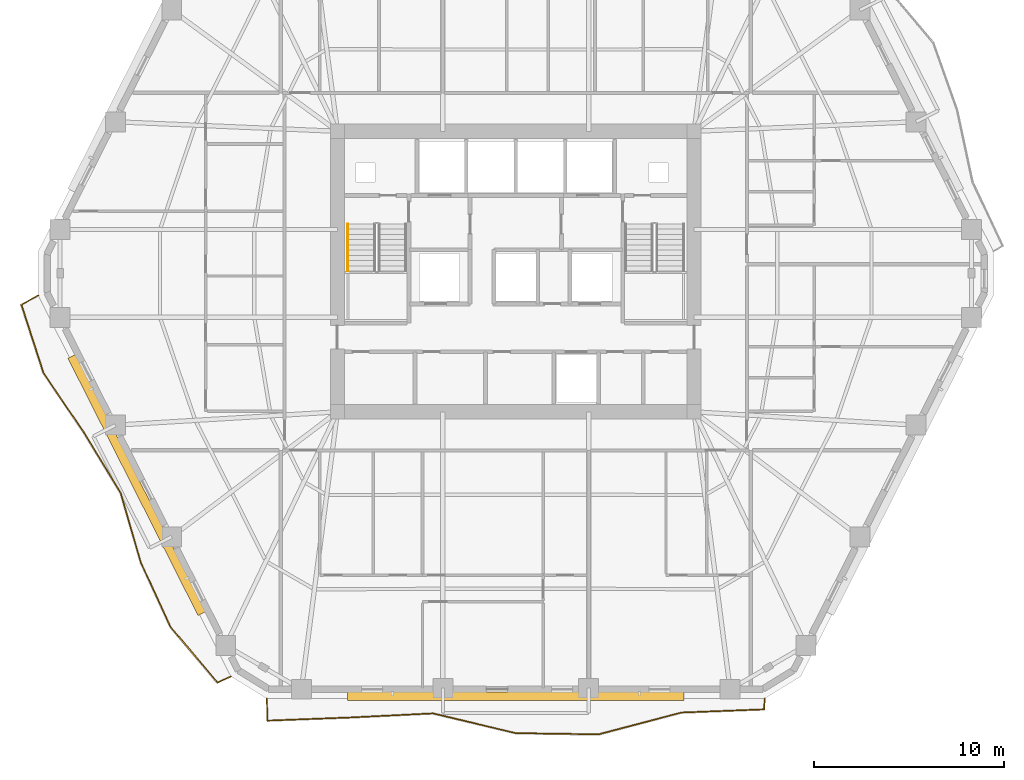
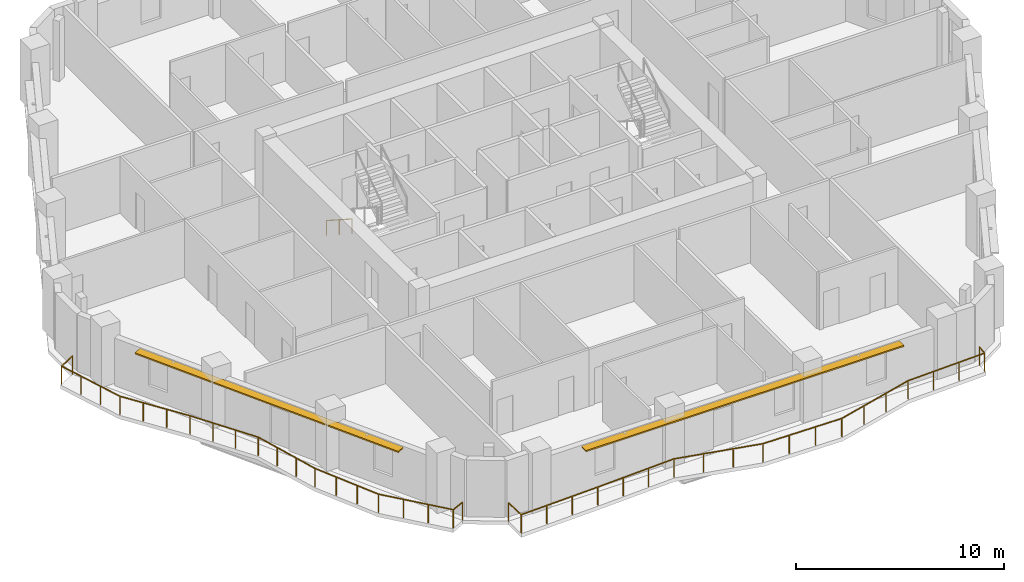
# One storey, part 10 of 12: 3 railings, 2 shading devices.
"""IFC4 building model written with IfcOpenShell, lengths in metres."""

from ifc_helpers import new_model, si_unit, direction, frame, origin, origin_2d, place, context, subcontext, project, spatial, rectangle, extrude, material, layer, layer_set, type_object, element, save


model = new_model("IFC4")

# Units and contexts
model_context = context("Model", 3, precision=1e-05, world=origin(), true_north=direction((0.0, 1.0)))
body_context = subcontext(model_context, "Body", "Model", "MODEL_VIEW")
ifc_project = project(units=[si_unit("LENGTHUNIT", "METRE"), si_unit("AREAUNIT", "SQUARE_METRE"), si_unit("VOLUMEUNIT", "CUBIC_METRE"), si_unit("PLANEANGLEUNIT", "RADIAN"), si_unit("MASSUNIT", "GRAM", prefix="KILO")], contexts=[model_context])

# Site, building, storey
site_placement = place(None, origin())
site = spatial("IfcSite", under=ifc_project, at=site_placement, CompositionType="ELEMENT")
building_placement = place(site_placement, origin())
building = spatial("IfcBuilding", under=site, at=building_placement, Name="Cinnabar Lancet Tower", CompositionType="ELEMENT")
storey_placement = place(building_placement, frame((0.0, 0.0, 109.050048828125)))
storey = spatial("IfcBuildingStorey", under=building, at=storey_placement, Name="L28", CompositionType="ELEMENT", Elevation=109.050048828125)

# Railings
ifc_material_1 = material(Name="Laminated safety glass and bronze stainless steel balustrade", Category="steel")
railing_type_1 = type_object("IfcRailingType", Name="ENV-RLG-BAL-1100", PredefinedType="BALUSTRADE", material=ifc_material_1)
railing_1_placement = place(storey_placement, frame((19.30810546875, 3.449951171875, 0.0)))
element("IfcRailing", 1, at=railing_1_placement, inside=storey, type_object=railing_type_1, Name="L28 Face 1 Wave Balcony Balustrade", PredefinedType="BALUSTRADE", context=body_context, shape_type="SweptSolid", body=[
    extrude(rectangle(XDim=0.048095703125, YDim=0.048095703125, at=origin_2d()), frame((0.0, 0.0, 1.076171875), z_axis=(0.02919536619, -0.999573724441, 0.0), x_axis=(0.999573724441, 0.02919536619, 0.0)), (0.0, 0.0, 1.0), 1.162353515625),
    extrude(rectangle(XDim=0.048095703125, YDim=0.048095703125, at=origin_2d()), frame((0.033935546875, -1.161865234375, 1.076171875), z_axis=(0.999273865502, 0.038101728639, 0.0), x_axis=(-0.038101728639, 0.999273865502, 0.0)), (0.0, 0.0, 1.0), 4.357177734375),
    extrude(rectangle(XDim=0.048095703125, YDim=0.048095703125, at=origin_2d()), frame((4.387939453125, -0.995849609375, 1.076171875), z_axis=(0.998762098054, 0.049742049527, 0.0), x_axis=(-0.049742049527, 0.998762098054, 0.0)), (0.0, 0.0, 1.0), 4.3583984375),
    extrude(rectangle(XDim=0.048095703125, YDim=0.048095703125, at=origin_2d()), frame((8.740966796875, -0.779052734375, 1.076171875), z_axis=(0.972610282046, -0.232441905125, 0.0), x_axis=(0.232441905125, 0.972610282046, 0.0)), (0.0, 0.0, 1.0), 4.473388671875),
    extrude(rectangle(XDim=0.048095703125, YDim=0.048095703125, at=origin_2d()), frame((13.091796875, -1.81884765625, 1.076171875), z_axis=(0.999895279095, -0.014471725682, 0.0), x_axis=(0.014471725682, 0.999895279095, 0.0)), (0.0, 0.0, 1.0), 4.3525390625),
    extrude(rectangle(XDim=0.048095703125, YDim=0.048095703125, at=origin_2d()), frame((17.44384765625, -1.8818359375, 1.076171875), z_axis=(0.967021099414, 0.254696276549, 0.0), x_axis=(-0.254696276549, 0.967021099414, 0.0)), (0.0, 0.0, 1.0), 4.49951171875),
    extrude(rectangle(XDim=0.048095703125, YDim=0.048095703125, at=origin_2d()), frame((21.794921875, -0.73583984375, 1.076171875), z_axis=(0.999265307057, 0.038325528206, 0.0), x_axis=(-0.038325528206, 0.999265307057, 0.0)), (0.0, 0.0, 1.0), 4.357177734375),
    extrude(rectangle(XDim=0.048095703125, YDim=0.048095703125, at=origin_2d()), frame((26.14892578125, -0.56884765625, 1.076171875), z_axis=(0.061258128711, 0.998121957311, 0.0), x_axis=(-0.998121957311, 0.061258128711, 0.0)), (0.0, 0.0, 1.0), 0.56982421875),
    extrude(rectangle(XDim=0.0419921875, YDim=0.0419921875, at=origin_2d()), origin(), (0.0, 0.0, 1.0), 1.052001953125),
    extrude(rectangle(XDim=0.0419921875, YDim=0.0419921875, at=origin_2d()), frame((0.033935546875, -1.161865234375, 0.0)), (0.0, 0.0, 1.0), 1.052001953125),
    extrude(rectangle(XDim=0.0419921875, YDim=0.0419921875, at=origin_2d()), frame((1.4853515625, -1.1064453125, 0.0)), (0.0, 0.0, 1.0), 1.052001953125),
    extrude(rectangle(XDim=0.0419921875, YDim=0.0419921875, at=origin_2d()), frame((2.9365234375, -1.05126953125, 0.0)), (0.0, 0.0, 1.0), 1.052001953125),
    extrude(rectangle(XDim=0.0419921875, YDim=0.0419921875, at=origin_2d()), frame((4.387939453125, -0.995849609375, 0.0)), (0.0, 0.0, 1.0), 1.052001953125),
    extrude(rectangle(XDim=0.0419921875, YDim=0.0419921875, at=origin_2d()), frame((5.8388671875, -0.923583984375, 0.0)), (0.0, 0.0, 1.0), 1.052001953125),
    extrude(rectangle(XDim=0.0419921875, YDim=0.0419921875, at=origin_2d()), frame((7.2900390625, -0.851318359375, 0.0)), (0.0, 0.0, 1.0), 1.052001953125),
    extrude(rectangle(XDim=0.0419921875, YDim=0.0419921875, at=origin_2d()), frame((8.740966796875, -0.779052734375, 0.0)), (0.0, 0.0, 1.0), 1.052001953125),
    extrude(rectangle(XDim=0.0419921875, YDim=0.0419921875, at=origin_2d()), frame((10.191162109375, -1.125732421875, 0.0)), (0.0, 0.0, 1.0), 1.052001953125),
    extrude(rectangle(XDim=0.0419921875, YDim=0.0419921875, at=origin_2d()), frame((11.6416015625, -1.47216796875, 0.0)), (0.0, 0.0, 1.0), 1.052001953125),
    extrude(rectangle(XDim=0.0419921875, YDim=0.0419921875, at=origin_2d()), frame((13.091796875, -1.81884765625, 0.0)), (0.0, 0.0, 1.0), 1.052001953125),
    extrude(rectangle(XDim=0.0419921875, YDim=0.0419921875, at=origin_2d()), frame((14.54248046875, -1.83984375, 0.0)), (0.0, 0.0, 1.0), 1.052001953125),
    extrude(rectangle(XDim=0.0419921875, YDim=0.0419921875, at=origin_2d()), frame((15.9931640625, -1.86083984375, 0.0)), (0.0, 0.0, 1.0), 1.052001953125),
    extrude(rectangle(XDim=0.0419921875, YDim=0.0419921875, at=origin_2d()), frame((17.44384765625, -1.8818359375, 0.0)), (0.0, 0.0, 1.0), 1.052001953125),
    extrude(rectangle(XDim=0.0419921875, YDim=0.0419921875, at=origin_2d()), frame((18.894287109375, -1.499755859375, 0.0)), (0.0, 0.0, 1.0), 1.052001953125),
    extrude(rectangle(XDim=0.0419921875, YDim=0.0419921875, at=origin_2d()), frame((20.344482421875, -1.117919921875, 0.0)), (0.0, 0.0, 1.0), 1.052001953125),
    extrude(rectangle(XDim=0.0419921875, YDim=0.0419921875, at=origin_2d()), frame((21.794921875, -0.73583984375, 0.0)), (0.0, 0.0, 1.0), 1.052001953125),
    extrude(rectangle(XDim=0.0419921875, YDim=0.0419921875, at=origin_2d()), frame((23.246337890625, -0.68017578125, 0.0)), (0.0, 0.0, 1.0), 1.052001953125),
    extrude(rectangle(XDim=0.0419921875, YDim=0.0419921875, at=origin_2d()), frame((24.697509765625, -0.62451171875, 0.0)), (0.0, 0.0, 1.0), 1.052001953125),
    extrude(rectangle(XDim=0.0419921875, YDim=0.0419921875, at=origin_2d()), frame((26.14892578125, -0.56884765625, 0.0)), (0.0, 0.0, 1.0), 1.052001953125),
    extrude(rectangle(XDim=0.0419921875, YDim=0.0419921875, at=origin_2d()), frame((26.183837890625, 0.0, 0.0)), (0.0, 0.0, 1.0), 1.052001953125),
])
railing_2_placement = place(storey_placement, frame((7.287109375, 24.639892578125, 0.0)))
element("IfcRailing", 2, at=railing_2_placement, inside=storey, type_object=railing_type_1, Name="L28 Face 6 Wave Balcony Balustrade", PredefinedType="BALUSTRADE", context=body_context, shape_type="SweptSolid", body=[
    extrude(rectangle(XDim=0.048095703125, YDim=0.048095703125, at=origin_2d()), frame((0.0, 0.0, 1.076171875), z_axis=(-0.879228403445, -0.476400477094, 0.0), x_axis=(0.476400477094, -0.879228403445, 0.0)), (0.0, 0.0, 1.0), 1.00537109375),
    extrude(rectangle(XDim=0.048095703125, YDim=0.048095703125, at=origin_2d()), frame((-0.884033203125, -0.47900390625, 1.076171875), z_axis=(0.308536320545, -0.951212562419, 0.0), x_axis=(0.951212562419, 0.308536320545, 0.0)), (0.0, 0.0, 1.0), 3.776123046875),
    extrude(rectangle(XDim=0.048095703125, YDim=0.048095703125, at=origin_2d()), frame((0.281005859375, -4.07080078125, 1.076171875), z_axis=(0.561093495244, -0.827752432551, 0.0), x_axis=(0.827752432551, 0.561093495244, 0.0)), (0.0, 0.0, 1.0), 3.761962890625),
    extrude(rectangle(XDim=0.048095703125, YDim=0.048095703125, at=origin_2d()), frame((2.391845703125, -7.184814453125, 1.076171875), z_axis=(0.520069062498, -0.854124212415, 0.0), x_axis=(0.854124212415, 0.520069062498, 0.0)), (0.0, 0.0, 1.0), 3.741943359375),
    extrude(rectangle(XDim=0.048095703125, YDim=0.048095703125, at=origin_2d()), frame((4.337890625, -10.380859375, 1.076171875), z_axis=(0.278176765363, -0.960529899176, 0.0), x_axis=(0.960529899176, 0.278176765363, 0.0)), (0.0, 0.0, 1.0), 3.7958984375),
    extrude(rectangle(XDim=0.048095703125, YDim=0.048095703125, at=origin_2d()), frame((5.393798828125, -14.02685546875, 1.076171875), z_axis=(0.418486044424, -0.908223227308, 0.0), x_axis=(0.908223227308, 0.418486044424, 0.0)), (0.0, 0.0, 1.0), 3.73486328125),
    extrude(rectangle(XDim=0.048095703125, YDim=0.048095703125, at=origin_2d()), frame((6.956787109375, -17.4189453125, 1.076171875), z_axis=(0.644016114821, -0.765011923993, 0.0), x_axis=(0.765011923993, 0.644016114821, 0.0)), (0.0, 0.0, 1.0), 3.833740234375),
    extrude(rectangle(XDim=0.048095703125, YDim=0.048095703125, at=origin_2d()), frame((9.42578125, -20.351806640625, 1.076171875), z_axis=(0.910269706864, 0.41401577357, 0.0), x_axis=(-0.41401577357, 0.910269706864, 0.0)), (0.0, 0.0, 1.0), 0.77783203125),
    extrude(rectangle(XDim=0.0419921875, YDim=0.0419921875, at=origin_2d()), origin(), (0.0, 0.0, 1.0), 1.052001953125),
    extrude(rectangle(XDim=0.0419921875, YDim=0.0419921875, at=origin_2d()), frame((-0.884033203125, -0.47900390625, 0.0)), (0.0, 0.0, 1.0), 1.052001953125),
    extrude(rectangle(XDim=0.0419921875, YDim=0.0419921875, at=origin_2d()), frame((-0.49560546875, -1.67626953125, 0.0)), (0.0, 0.0, 1.0), 1.052001953125),
    extrude(rectangle(XDim=0.0419921875, YDim=0.0419921875, at=origin_2d()), frame((-0.107421875, -2.87353515625, 0.0)), (0.0, 0.0, 1.0), 1.052001953125),
    extrude(rectangle(XDim=0.0419921875, YDim=0.0419921875, at=origin_2d()), frame((0.281005859375, -4.07080078125, 0.0)), (0.0, 0.0, 1.0), 1.052001953125),
    extrude(rectangle(XDim=0.0419921875, YDim=0.0419921875, at=origin_2d()), frame((0.984619140625, -5.10888671875, 0.0)), (0.0, 0.0, 1.0), 1.052001953125),
    extrude(rectangle(XDim=0.0419921875, YDim=0.0419921875, at=origin_2d()), frame((1.688232421875, -6.146728515625, 0.0)), (0.0, 0.0, 1.0), 1.052001953125),
    extrude(rectangle(XDim=0.0419921875, YDim=0.0419921875, at=origin_2d()), frame((2.391845703125, -7.184814453125, 0.0)), (0.0, 0.0, 1.0), 1.052001953125),
    extrude(rectangle(XDim=0.0419921875, YDim=0.0419921875, at=origin_2d()), frame((3.04052734375, -8.250244140625, 0.0)), (0.0, 0.0, 1.0), 1.052001953125),
    extrude(rectangle(XDim=0.0419921875, YDim=0.0419921875, at=origin_2d()), frame((3.689208984375, -9.3154296875, 0.0)), (0.0, 0.0, 1.0), 1.052001953125),
    extrude(rectangle(XDim=0.0419921875, YDim=0.0419921875, at=origin_2d()), frame((4.337890625, -10.380859375, 0.0)), (0.0, 0.0, 1.0), 1.052001953125),
    extrude(rectangle(XDim=0.0419921875, YDim=0.0419921875, at=origin_2d()), frame((4.68994140625, -11.59619140625, 0.0)), (0.0, 0.0, 1.0), 1.052001953125),
    extrude(rectangle(XDim=0.0419921875, YDim=0.0419921875, at=origin_2d()), frame((5.041748046875, -12.8115234375, 0.0)), (0.0, 0.0, 1.0), 1.052001953125),
    extrude(rectangle(XDim=0.0419921875, YDim=0.0419921875, at=origin_2d()), frame((5.393798828125, -14.02685546875, 0.0)), (0.0, 0.0, 1.0), 1.052001953125),
    extrude(rectangle(XDim=0.0419921875, YDim=0.0419921875, at=origin_2d()), frame((5.914794921875, -15.157470703125, 0.0)), (0.0, 0.0, 1.0), 1.052001953125),
    extrude(rectangle(XDim=0.0419921875, YDim=0.0419921875, at=origin_2d()), frame((6.435791015625, -16.288330078125, 0.0)), (0.0, 0.0, 1.0), 1.052001953125),
    extrude(rectangle(XDim=0.0419921875, YDim=0.0419921875, at=origin_2d()), frame((6.956787109375, -17.4189453125, 0.0)), (0.0, 0.0, 1.0), 1.052001953125),
    extrude(rectangle(XDim=0.0419921875, YDim=0.0419921875, at=origin_2d()), frame((7.77978515625, -18.396484375, 0.0)), (0.0, 0.0, 1.0), 1.052001953125),
    extrude(rectangle(XDim=0.0419921875, YDim=0.0419921875, at=origin_2d()), frame((8.602783203125, -19.374267578125, 0.0)), (0.0, 0.0, 1.0), 1.052001953125),
    extrude(rectangle(XDim=0.0419921875, YDim=0.0419921875, at=origin_2d()), frame((9.42578125, -20.351806640625, 0.0)), (0.0, 0.0, 1.0), 1.052001953125),
    extrude(rectangle(XDim=0.0419921875, YDim=0.0419921875, at=origin_2d()), frame((10.1337890625, -20.02978515625, 0.0)), (0.0, 0.0, 1.0), 1.052001953125),
])

# Shading devices
ifc_material_2 = material(Name="Pale limestone architectural aluminium sunshade", Category="masonry")
ifc_layer = layer(ifc_material_2, 0.080078125)
ifc_layer_set = layer_set([ifc_layer], Name="Pale limestone architectural aluminium sunshade")
shading_device_type = type_object("IfcShadingDeviceType", Name="ENV-SHD-LVR-450", PredefinedType="JALOUSIE", material=ifc_layer_set)
shading_device_1_placement = place(storey_placement, frame((32.39990234375, 3.580078125, 2.639892578125), z_axis=(0.0, 0.0, 1.0), x_axis=(1.0, 0.0, 0.0)))
element("IfcShadingDevice", 3, at=shading_device_1_placement, inside=storey, type_object=shading_device_type, Name="L28 Face 1 Horizontal Sunshade Canopy", PredefinedType="JALOUSIE", context=body_context, shape_type="SweptSolid", body=[
    extrude(rectangle(XDim=17.68310546875, YDim=0.449951171875, at=origin_2d()), origin(), (0.0, 0.0, 1.0), 0.080078125),
])
shading_device_2_placement = place(storey_placement, frame((12.471923828125, 14.680908203125, 2.639892578125), z_axis=(0.0, 0.0, 1.0), x_axis=(0.451453853408, -0.892294468347, 0.0)))
element("IfcShadingDevice", 4, at=shading_device_2_placement, inside=storey, type_object=shading_device_type, Name="L28 Face 6 Horizontal Sunshade Canopy", PredefinedType="JALOUSIE", context=body_context, shape_type="SweptSolid", body=[
    extrude(rectangle(XDim=15.156982421875, YDim=0.449951171875, at=origin_2d()), origin(), (0.0, 0.0, 1.0), 0.080078125),
])

# Railing
ifc_material_3 = material(Name="Brushed stainless steel handrail", Category="steel")
railing_type_2 = type_object("IfcRailingType", Name="HANDRAIL-STAIR", PredefinedType="HANDRAIL", material=ifc_material_3)
railing_3_placement = place(storey_placement, frame((23.574951171875, 28.39990234375, 0.177490234375)))
element("IfcRailing", 5, at=railing_3_placement, inside=storey, type_object=railing_type_2, Name="L28 ST-1 stair handrail 1", PredefinedType="HANDRAIL", context=body_context, shape_type="SweptSolid", body=[
    extrude(rectangle(XDim=0.048095703125, YDim=0.048095703125, at=origin_2d()), frame((0.0, 0.0, 0.8759765625), z_axis=(0.0, -0.840183358697, 0.542302428327), x_axis=(1.0, 0.0, 0.0)), (0.0, 0.0, 1.0), 2.945556640625),
    extrude(rectangle(XDim=0.0419921875, YDim=0.0419921875, at=origin_2d()), origin(), (0.0, 0.0, 1.0), 0.851806640625),
    extrude(rectangle(XDim=0.0419921875, YDim=0.0419921875, at=origin_2d()), frame((0.0, -1.2373046875, 0.798828125)), (0.0, 0.0, 1.0), 0.851806640625),
    extrude(rectangle(XDim=0.0419921875, YDim=0.0419921875, at=origin_2d()), frame((0.0, -2.474853515625, 1.597412109375)), (0.0, 0.0, 1.0), 0.851806640625),
])

save(model, "model.ifc")
